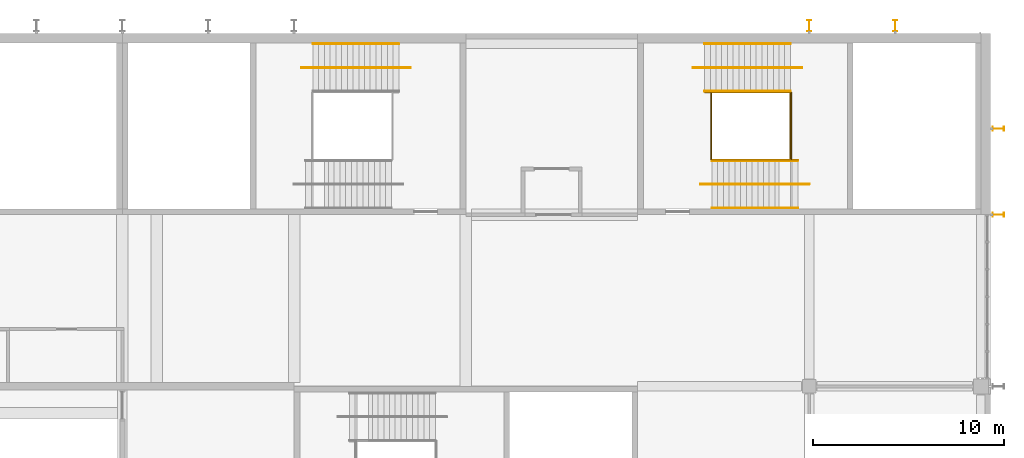
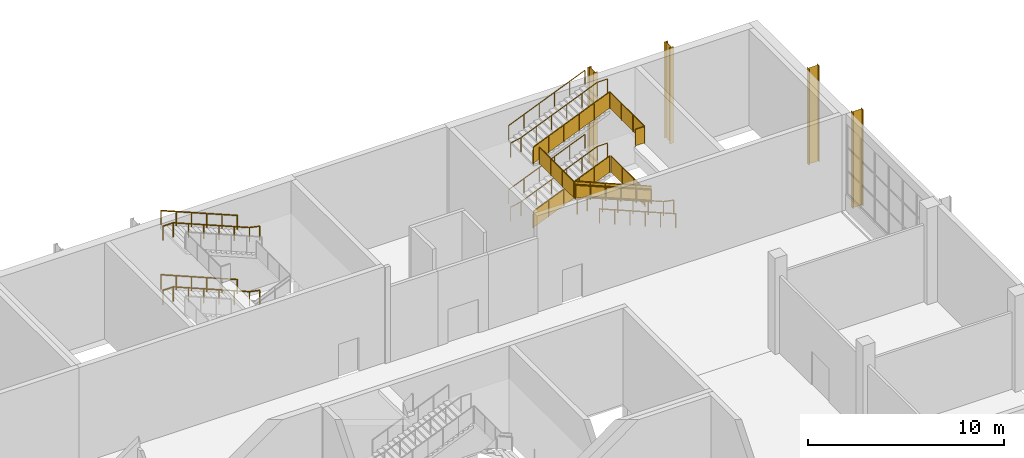
# One storey, part 88 of 89: 19 railings, 4 shading devices.
"""IFC4 building model written with IfcOpenShell, lengths in metres."""

from ifc_helpers import new_model, si_unit, direction, frame, origin, origin_2d, place, context, subcontext, project, spatial, polyline, circle, i_section, outline, extrude, material, material_profile, profile_set, type_object, element, save


model = new_model("IFC4")

# Units and contexts
model_context = context("Model", 3, precision=1e-05, world=origin(), true_north=direction((0.0, 1.0)))
body_context = subcontext(model_context, "Body", "Model", "MODEL_VIEW")
ifc_project = project(units=[si_unit("LENGTHUNIT", "METRE"), si_unit("AREAUNIT", "SQUARE_METRE"), si_unit("VOLUMEUNIT", "CUBIC_METRE"), si_unit("PLANEANGLEUNIT", "RADIAN"), si_unit("MASSUNIT", "GRAM", prefix="KILO")], contexts=[model_context])

# Site, building, storey
site_placement = place(None, origin())
site = spatial("IfcSite", under=ifc_project, at=site_placement, CompositionType="ELEMENT")
building_placement = place(site_placement, origin())
building = spatial("IfcBuilding", under=site, at=building_placement, Name="Silverbay Arena", CompositionType="ELEMENT")
storey_placement = place(building_placement, frame((0.0, 0.0, 22.0)))
storey = spatial("IfcBuildingStorey", under=building, at=storey_placement, Name="L03", CompositionType="ELEMENT", Elevation=22.0)

# Railings
ifc_material_1 = material(Name="Stainless steel", Category="steel")
railing_type_1 = type_object("IfcRailingType", Name="Stair guard 1100", PredefinedType="GUARDRAIL", material=ifc_material_1)
railing_1_placement = place(storey_placement, frame((192.510009765625, 141.425048828125, 0.125)))
element("IfcRailing", 1, at=railing_1_placement, inside=storey, type_object=railing_type_1, Name="Stair ST-N6 L03 to L04 flight 1 guard left", PredefinedType="GUARDRAIL", context=body_context, shape_type="SweptSolid", body=[
    extrude(circle(Radius=0.02392578125, at=origin_2d()), frame((0.0, 0.0, 1.076171875), z_axis=(0.923076923077, 0.0, 0.384615384615), x_axis=(0.0, 1.0, 0.0)), (0.0, 0.0, 1.0), 4.875),
    extrude(outline(polyline([(-0.008056640625, 0.046630859375), (0.907958984375, 0.42822265625), (0.907958984375, 1.431396484375), (-0.008056640625, 1.049560546875), (-0.008056640625, 0.046630859375)])), frame((0.0, 0.0029296875, 0.0), z_axis=(0.0, -1.0, 0.0), x_axis=(1.0, 0.0, 0.0)), (0.0, 0.0, 1.0), 0.006103515625),
    extrude(outline(polyline([(-0.008056640625, 0.421630859375), (0.907958984375, 0.80322265625), (0.907958984375, 1.806396484375), (-0.008056640625, 1.424560546875), (-0.008056640625, 0.421630859375)])), frame((0.89990234375, 0.0029296875, 0.0), z_axis=(0.0, -1.0, 0.0), x_axis=(1.0, 0.0, 0.0)), (0.0, 0.0, 1.0), 0.006103515625),
    extrude(outline(polyline([(-0.008056640625, 0.796630859375), (0.907958984375, 1.17822265625), (0.907958984375, 2.181396484375), (-0.008056640625, 1.799560546875), (-0.008056640625, 0.796630859375)])), frame((1.800048828125, 0.0029296875, 0.0), z_axis=(0.0, -1.0, 0.0), x_axis=(1.0, 0.0, 0.0)), (0.0, 0.0, 1.0), 0.006103515625),
    extrude(outline(polyline([(-0.008056640625, 1.171630859375), (0.907958984375, 1.55322265625), (0.907958984375, 2.556396484375), (-0.008056640625, 2.174560546875), (-0.008056640625, 1.171630859375)])), frame((2.699951171875, 0.0029296875, 0.0), z_axis=(0.0, -1.0, 0.0), x_axis=(1.0, 0.0, 0.0)), (0.0, 0.0, 1.0), 0.006103515625),
    extrude(outline(polyline([(-0.008056640625, 1.546630859375), (0.907958984375, 1.92822265625), (0.907958984375, 2.931396484375), (-0.008056640625, 2.549560546875), (-0.008056640625, 1.546630859375)])), frame((3.60009765625, 0.0029296875, 0.0), z_axis=(0.0, -1.0, 0.0), x_axis=(1.0, 0.0, 0.0)), (0.0, 0.0, 1.0), 0.006103515625),
    extrude(circle(Radius=0.02099609375, at=origin_2d()), origin(), (0.0, 0.0, 1.0), 1.052001953125),
    extrude(circle(Radius=0.02099609375, at=origin_2d()), frame((0.89990234375, 0.0, 0.375)), (0.0, 0.0, 1.0), 1.052001953125),
    extrude(circle(Radius=0.02099609375, at=origin_2d()), frame((1.800048828125, 0.0, 0.75)), (0.0, 0.0, 1.0), 1.052001953125),
    extrude(circle(Radius=0.02099609375, at=origin_2d()), frame((2.699951171875, 0.0, 1.125)), (0.0, 0.0, 1.0), 1.052001953125),
    extrude(circle(Radius=0.02099609375, at=origin_2d()), frame((3.60009765625, 0.0, 1.5)), (0.0, 0.0, 1.0), 1.052001953125),
    extrude(circle(Radius=0.02099609375, at=origin_2d()), frame((4.5, 0.0, 1.875)), (0.0, 0.0, 1.0), 1.052001953125),
])
railing_2_placement = place(storey_placement, frame((197.39990234375, 137.875, 2.125)))
element("IfcRailing", 2, at=railing_2_placement, inside=storey, type_object=railing_type_1, Name="Stair ST-N6 L03 to L04 flight 2 guard right", PredefinedType="GUARDRAIL", context=body_context, shape_type="SweptSolid", body=[
    extrude(circle(Radius=0.02392578125, at=origin_2d()), frame((0.0, 0.0, 1.076171875), z_axis=(-0.923076923077, 0.0, 0.384615384615), x_axis=(0.0, -1.0, 0.0)), (0.0, 0.0, 1.0), 4.875),
    extrude(outline(polyline([(-0.008056640625, 0.046630859375), (0.907958984375, 0.42822265625), (0.907958984375, 1.431396484375), (-0.008056640625, 1.049560546875), (-0.008056640625, 0.046630859375)])), frame((0.0, -0.0029296875, 0.0), z_axis=(0.0, 1.0, 0.0), x_axis=(-1.0, 0.0, 0.0)), (0.0, 0.0, 1.0), 0.006103515625),
    extrude(outline(polyline([(-0.008056640625, 0.421630859375), (0.907958984375, 0.80322265625), (0.907958984375, 1.806396484375), (-0.008056640625, 1.424560546875), (-0.008056640625, 0.421630859375)])), frame((-0.89990234375, -0.0029296875, 0.0), z_axis=(0.0, 1.0, 0.0), x_axis=(-1.0, 0.0, 0.0)), (0.0, 0.0, 1.0), 0.006103515625),
    extrude(outline(polyline([(-0.008056640625, 0.796630859375), (0.907958984375, 1.17822265625), (0.907958984375, 2.181396484375), (-0.008056640625, 1.799560546875), (-0.008056640625, 0.796630859375)])), frame((-1.800048828125, -0.0029296875, 0.0), z_axis=(0.0, 1.0, 0.0), x_axis=(-1.0, 0.0, 0.0)), (0.0, 0.0, 1.0), 0.006103515625),
    extrude(outline(polyline([(-0.008056640625, 1.171630859375), (0.907958984375, 1.55322265625), (0.907958984375, 2.556396484375), (-0.008056640625, 2.174560546875), (-0.008056640625, 1.171630859375)])), frame((-2.699951171875, -0.0029296875, 0.0), z_axis=(0.0, 1.0, 0.0), x_axis=(-1.0, 0.0, 0.0)), (0.0, 0.0, 1.0), 0.006103515625),
    extrude(outline(polyline([(-0.008056640625, 1.546630859375), (0.907958984375, 1.92822265625), (0.907958984375, 2.931396484375), (-0.008056640625, 2.549560546875), (-0.008056640625, 1.546630859375)])), frame((-3.60009765625, -0.0029296875, 0.0), z_axis=(0.0, 1.0, 0.0), x_axis=(-1.0, 0.0, 0.0)), (0.0, 0.0, 1.0), 0.006103515625),
    extrude(circle(Radius=0.02099609375, at=origin_2d()), origin(), (0.0, 0.0, 1.0), 1.052001953125),
    extrude(circle(Radius=0.02099609375, at=origin_2d()), frame((-0.89990234375, 0.0, 0.375)), (0.0, 0.0, 1.0), 1.052001953125),
    extrude(circle(Radius=0.02099609375, at=origin_2d()), frame((-1.800048828125, 0.0, 0.75)), (0.0, 0.0, 1.0), 1.052001953125),
    extrude(circle(Radius=0.02099609375, at=origin_2d()), frame((-2.699951171875, 0.0, 1.125)), (0.0, 0.0, 1.0), 1.052001953125),
    extrude(circle(Radius=0.02099609375, at=origin_2d()), frame((-3.60009765625, 0.0, 1.5)), (0.0, 0.0, 1.0), 1.052001953125),
    extrude(circle(Radius=0.02099609375, at=origin_2d()), frame((-4.5, 0.0, 1.875)), (0.0, 0.0, 1.0), 1.052001953125),
])
railing_3_placement = place(storey_placement, frame((192.510009765625, 141.425048828125, 4.125)))
element("IfcRailing", 3, at=railing_3_placement, inside=storey, type_object=railing_type_1, Name="Stair ST-N6 L03 to L04 flight 3 guard left", PredefinedType="GUARDRAIL", context=body_context, shape_type="SweptSolid", body=[
    extrude(circle(Radius=0.02392578125, at=origin_2d()), frame((0.0, 0.0, 1.076171875), z_axis=(0.923076923077, 0.0, 0.384615384615), x_axis=(0.0, 1.0, 0.0)), (0.0, 0.0, 1.0), 4.875),
    extrude(outline(polyline([(-0.008056640625, 0.046630859375), (0.907958984375, 0.42822265625), (0.907958984375, 1.431396484375), (-0.008056640625, 1.049560546875), (-0.008056640625, 0.046630859375)])), frame((0.0, 0.0029296875, 0.0), z_axis=(0.0, -1.0, 0.0), x_axis=(1.0, 0.0, 0.0)), (0.0, 0.0, 1.0), 0.006103515625),
    extrude(outline(polyline([(-0.008056640625, 0.421630859375), (0.907958984375, 0.80322265625), (0.907958984375, 1.806396484375), (-0.008056640625, 1.424560546875), (-0.008056640625, 0.421630859375)])), frame((0.89990234375, 0.0029296875, 0.0), z_axis=(0.0, -1.0, 0.0), x_axis=(1.0, 0.0, 0.0)), (0.0, 0.0, 1.0), 0.006103515625),
    extrude(outline(polyline([(-0.008056640625, 0.796630859375), (0.907958984375, 1.17822265625), (0.907958984375, 2.181396484375), (-0.008056640625, 1.799560546875), (-0.008056640625, 0.796630859375)])), frame((1.800048828125, 0.0029296875, 0.0), z_axis=(0.0, -1.0, 0.0), x_axis=(1.0, 0.0, 0.0)), (0.0, 0.0, 1.0), 0.006103515625),
    extrude(outline(polyline([(-0.008056640625, 1.171630859375), (0.907958984375, 1.55322265625), (0.907958984375, 2.556396484375), (-0.008056640625, 2.174560546875), (-0.008056640625, 1.171630859375)])), frame((2.699951171875, 0.0029296875, 0.0), z_axis=(0.0, -1.0, 0.0), x_axis=(1.0, 0.0, 0.0)), (0.0, 0.0, 1.0), 0.006103515625),
    extrude(outline(polyline([(-0.008056640625, 1.546630859375), (0.907958984375, 1.92822265625), (0.907958984375, 2.931396484375), (-0.008056640625, 2.549560546875), (-0.008056640625, 1.546630859375)])), frame((3.60009765625, 0.0029296875, 0.0), z_axis=(0.0, -1.0, 0.0), x_axis=(1.0, 0.0, 0.0)), (0.0, 0.0, 1.0), 0.006103515625),
    extrude(circle(Radius=0.02099609375, at=origin_2d()), origin(), (0.0, 0.0, 1.0), 1.052001953125),
    extrude(circle(Radius=0.02099609375, at=origin_2d()), frame((0.89990234375, 0.0, 0.375)), (0.0, 0.0, 1.0), 1.052001953125),
    extrude(circle(Radius=0.02099609375, at=origin_2d()), frame((1.800048828125, 0.0, 0.75)), (0.0, 0.0, 1.0), 1.052001953125),
    extrude(circle(Radius=0.02099609375, at=origin_2d()), frame((2.699951171875, 0.0, 1.125)), (0.0, 0.0, 1.0), 1.052001953125),
    extrude(circle(Radius=0.02099609375, at=origin_2d()), frame((3.60009765625, 0.0, 1.5)), (0.0, 0.0, 1.0), 1.052001953125),
    extrude(circle(Radius=0.02099609375, at=origin_2d()), frame((4.5, 0.0, 1.875)), (0.0, 0.0, 1.0), 1.052001953125),
])
for number, where, name in (
    (4, (197.06005859375, 137.89990234375, 2.0), "Stair ST-N6 L03 to L04 landing 1 guard"),
    (5, (192.85009765625, 137.89990234375, 4.0), "Stair ST-N6 L03 to L04 landing 2 guard"),
):
    element("IfcRailing", number, at=place(storey_placement, frame(where)), inside=storey, type_object=railing_type_1, Name=name, PredefinedType="GUARDRAIL", context=body_context, shape_type="SweptSolid", body=[
        extrude(circle(Radius=0.02392578125, at=origin_2d()), frame((0.0, 0.0, 1.076171875), z_axis=(0.0, 1.0, 0.0), x_axis=(-1.0, 0.0, 0.0)), (0.0, 0.0, 1.0), 3.5),
        extrude(outline(polyline([(-0.008056640625, 0.050048828125), (1.174560546875, 0.050048828125), (1.174560546875, 1.052978515625), (-0.008056640625, 1.052978515625), (-0.008056640625, 0.050048828125)])), frame((-0.0029296875, 0.0, 0.0), z_axis=(1.0, 0.0, 0.0), x_axis=(0.0, 1.0, 0.0)), (0.0, 0.0, 1.0), 0.006103515625),
        extrude(outline(polyline([(-0.008056640625, 0.050048828125), (1.174560546875, 0.050048828125), (1.174560546875, 1.052978515625), (-0.008056640625, 1.052978515625), (-0.008056640625, 0.050048828125)])), frame((-0.0029296875, 1.166748046875, 0.0), z_axis=(1.0, 0.0, 0.0), x_axis=(0.0, 1.0, 0.0)), (0.0, 0.0, 1.0), 0.006103515625),
        extrude(outline(polyline([(-0.008056640625, 0.050048828125), (1.174560546875, 0.050048828125), (1.174560546875, 1.052978515625), (-0.008056640625, 1.052978515625), (-0.008056640625, 0.050048828125)])), frame((-0.0029296875, 2.333251953125, 0.0), z_axis=(1.0, 0.0, 0.0), x_axis=(0.0, 1.0, 0.0)), (0.0, 0.0, 1.0), 0.006103515625),
        extrude(circle(Radius=0.02099609375, at=origin_2d()), origin(), (0.0, 0.0, 1.0), 1.052001953125),
        extrude(circle(Radius=0.02099609375, at=origin_2d()), frame((0.0, 1.166748046875, 0.0)), (0.0, 0.0, 1.0), 1.052001953125),
        extrude(circle(Radius=0.02099609375, at=origin_2d()), frame((0.0, 2.333251953125, 0.0)), (0.0, 0.0, 1.0), 1.052001953125),
        extrude(circle(Radius=0.02099609375, at=origin_2d()), frame((0.0, 3.5, 0.0)), (0.0, 0.0, 1.0), 1.052001953125),
    ])
railing_4_placement = place(storey_placement, frame((196.449951171875, 137.85009765625, 6.0)))
element("IfcRailing", 6, at=railing_4_placement, inside=storey, type_object=railing_type_1, Name="Stair ST-N6 L03 to L04 landing 3 guard", PredefinedType="GUARDRAIL", context=body_context, shape_type="SweptSolid", body=[
    extrude(circle(Radius=0.02392578125, at=origin_2d()), frame((0.0, 0.0, 1.076171875), z_axis=(1.0, 0.0, 0.0), x_axis=(0.0, 1.0, 0.0)), (0.0, 0.0, 1.0), 0.56005859375),
    extrude(outline(polyline([(-0.008056640625, 0.050048828125), (0.568115234375, 0.050048828125), (0.568115234375, 1.052978515625), (-0.008056640625, 1.052978515625), (-0.008056640625, 0.050048828125)])), frame((0.0, 0.0029296875, 0.0), z_axis=(0.0, -1.0, 0.0), x_axis=(1.0, 0.0, 0.0)), (0.0, 0.0, 1.0), 0.006103515625),
    extrude(circle(Radius=0.02392578125, at=origin_2d()), frame((0.56005859375, 0.0, 1.076171875), z_axis=(0.0, 1.0, 0.0), x_axis=(-1.0, 0.0, 0.0)), (0.0, 0.0, 1.0), 3.5498046875),
    extrude(outline(polyline([(-0.008056640625, 0.050048828125), (1.191162109375, 0.050048828125), (1.191162109375, 1.052978515625), (-0.008056640625, 1.052978515625), (-0.008056640625, 0.050048828125)])), frame((0.55712890625, 0.0, 0.0), z_axis=(1.0, 0.0, 0.0), x_axis=(0.0, 1.0, 0.0)), (0.0, 0.0, 1.0), 0.006103515625),
    extrude(outline(polyline([(-0.008056640625, 0.050048828125), (1.191162109375, 0.050048828125), (1.191162109375, 1.052978515625), (-0.008056640625, 1.052978515625), (-0.008056640625, 0.050048828125)])), frame((0.55712890625, 1.183349609375, 0.0), z_axis=(1.0, 0.0, 0.0), x_axis=(0.0, 1.0, 0.0)), (0.0, 0.0, 1.0), 0.006103515625),
    extrude(outline(polyline([(-0.008056640625, 0.050048828125), (1.191162109375, 0.050048828125), (1.191162109375, 1.052978515625), (-0.008056640625, 1.052978515625), (-0.008056640625, 0.050048828125)])), frame((0.55712890625, 2.366455078125, 0.0), z_axis=(1.0, 0.0, 0.0), x_axis=(0.0, 1.0, 0.0)), (0.0, 0.0, 1.0), 0.006103515625),
    extrude(circle(Radius=0.02099609375, at=origin_2d()), origin(), (0.0, 0.0, 1.0), 1.052001953125),
    extrude(circle(Radius=0.02099609375, at=origin_2d()), frame((0.56005859375, 0.0, 0.0)), (0.0, 0.0, 1.0), 1.052001953125),
    extrude(circle(Radius=0.02099609375, at=origin_2d()), frame((0.56005859375, 1.183349609375, 0.0)), (0.0, 0.0, 1.0), 1.052001953125),
    extrude(circle(Radius=0.02099609375, at=origin_2d()), frame((0.56005859375, 2.366455078125, 0.0)), (0.0, 0.0, 1.0), 1.052001953125),
    extrude(circle(Radius=0.02099609375, at=origin_2d()), frame((0.56005859375, 3.5498046875, 0.0)), (0.0, 0.0, 1.0), 1.052001953125),
])
ifc_material_2 = material(Name="Stainless steel", Category="steel")
railing_type_2 = type_object("IfcRailingType", Name="Stair handrail 900", PredefinedType="HANDRAIL", material=ifc_material_2)
railing_5_placement = place(storey_placement, frame((176.489990234375, 143.949951171875, 0.125)))
element("IfcRailing", 7, at=railing_5_placement, inside=storey, type_object=railing_type_2, Name="Stair ST-N4 L03 to L04 flight 1 handrail right", PredefinedType="HANDRAIL", context=body_context, shape_type="SweptSolid", body=[
    extrude(circle(Radius=0.02392578125, at=origin_2d()), frame((0.0, 0.0, 0.8759765625), z_axis=(-0.923076923077, 0.0, 0.384615384615), x_axis=(0.0, -1.0, 0.0)), (0.0, 0.0, 1.0), 4.875),
    extrude(circle(Radius=0.02099609375, at=origin_2d()), origin(), (0.0, 0.0, 1.0), 0.851806640625),
    extrude(circle(Radius=0.02099609375, at=origin_2d()), frame((-0.89990234375, 0.0, 0.375)), (0.0, 0.0, 1.0), 0.851806640625),
    extrude(circle(Radius=0.02099609375, at=origin_2d()), frame((-1.800048828125, 0.0, 0.75)), (0.0, 0.0, 1.0), 0.851806640625),
    extrude(circle(Radius=0.02099609375, at=origin_2d()), frame((-2.699951171875, 0.0, 1.125)), (0.0, 0.0, 1.0), 0.851806640625),
    extrude(circle(Radius=0.02099609375, at=origin_2d()), frame((-3.60009765625, 0.0, 1.5)), (0.0, 0.0, 1.0), 0.851806640625),
    extrude(circle(Radius=0.02099609375, at=origin_2d()), frame((-4.5, 0.0, 1.875)), (0.0, 0.0, 1.0), 0.851806640625),
])
railing_6_placement = place(storey_placement, frame((177.090087890625, 142.699951171875, 0.0)))
element("IfcRailing", 8, at=railing_6_placement, inside=storey, type_object=railing_type_2, Name="Stair ST-N4 L03 to L04 flight 1 central handrail", PredefinedType="HANDRAIL", context=body_context, shape_type="SweptSolid", body=[
    extrude(circle(Radius=0.02392578125, at=origin_2d()), frame((0.0, 0.0, 0.8759765625), z_axis=(-0.978987046276, 0.0, 0.203922444139), x_axis=(0.0, -1.0, 0.0)), (0.0, 0.0, 1.0), 0.613037109375),
    extrude(circle(Radius=0.02392578125, at=origin_2d()), frame((-0.60009765625, 0.0, 1.0009765625), z_axis=(-0.923076923077, 0.0, 0.384615384615), x_axis=(0.0, -1.0, 0.0)), (0.0, 0.0, 1.0), 4.875),
    extrude(circle(Radius=0.02392578125, at=origin_2d()), frame((-5.10009765625, 0.0, 2.8759765625), z_axis=(-1.0, 0.0, 0.0), x_axis=(0.0, -1.0, 0.0)), (0.0, 0.0, 1.0), 0.60009765625),
    extrude(circle(Radius=0.02099609375, at=origin_2d()), origin(), (0.0, 0.0, 1.0), 0.851806640625),
    extrude(circle(Radius=0.02099609375, at=origin_2d()), frame((-0.60009765625, 0.0, 0.125)), (0.0, 0.0, 1.0), 0.851806640625),
    extrude(circle(Radius=0.02099609375, at=origin_2d()), frame((-1.5, 0.0, 0.5)), (0.0, 0.0, 1.0), 0.851806640625),
    extrude(circle(Radius=0.02099609375, at=origin_2d()), frame((-2.400146484375, 0.0, 0.875)), (0.0, 0.0, 1.0), 0.851806640625),
    extrude(circle(Radius=0.02099609375, at=origin_2d()), frame((-3.300048828125, 0.0, 1.25)), (0.0, 0.0, 1.0), 0.851806640625),
    extrude(circle(Radius=0.02099609375, at=origin_2d()), frame((-4.2001953125, 0.0, 1.625)), (0.0, 0.0, 1.0), 0.851806640625),
    extrude(circle(Radius=0.02099609375, at=origin_2d()), frame((-5.10009765625, 0.0, 2.0)), (0.0, 0.0, 1.0), 0.851806640625),
    extrude(circle(Radius=0.02099609375, at=origin_2d()), frame((-5.7001953125, 0.0, 2.0)), (0.0, 0.0, 1.0), 0.851806640625),
])
railing_7_placement = place(storey_placement, frame((176.489990234375, 143.949951171875, 4.125)))
element("IfcRailing", 9, at=railing_7_placement, inside=storey, type_object=railing_type_2, Name="Stair ST-N4 L03 to L04 flight 3 handrail right", PredefinedType="HANDRAIL", context=body_context, shape_type="SweptSolid", body=[
    extrude(circle(Radius=0.02392578125, at=origin_2d()), frame((0.0, 0.0, 0.8759765625), z_axis=(-0.923076923077, 0.0, 0.384615384615), x_axis=(0.0, -1.0, 0.0)), (0.0, 0.0, 1.0), 4.875),
    extrude(circle(Radius=0.02099609375, at=origin_2d()), origin(), (0.0, 0.0, 1.0), 0.851806640625),
    extrude(circle(Radius=0.02099609375, at=origin_2d()), frame((-0.89990234375, 0.0, 0.375)), (0.0, 0.0, 1.0), 0.851806640625),
    extrude(circle(Radius=0.02099609375, at=origin_2d()), frame((-1.800048828125, 0.0, 0.75)), (0.0, 0.0, 1.0), 0.851806640625),
    extrude(circle(Radius=0.02099609375, at=origin_2d()), frame((-2.699951171875, 0.0, 1.125)), (0.0, 0.0, 1.0), 0.851806640625),
    extrude(circle(Radius=0.02099609375, at=origin_2d()), frame((-3.60009765625, 0.0, 1.5)), (0.0, 0.0, 1.0), 0.851806640625),
    extrude(circle(Radius=0.02099609375, at=origin_2d()), frame((-4.5, 0.0, 1.875)), (0.0, 0.0, 1.0), 0.851806640625),
])
railing_8_placement = place(storey_placement, frame((177.090087890625, 142.699951171875, 4.0)))
element("IfcRailing", 10, at=railing_8_placement, inside=storey, type_object=railing_type_2, Name="Stair ST-N4 L03 to L04 flight 3 central handrail", PredefinedType="HANDRAIL", context=body_context, shape_type="SweptSolid", body=[
    extrude(circle(Radius=0.02392578125, at=origin_2d()), frame((0.0, 0.0, 0.8759765625), z_axis=(-0.978987046276, 0.0, 0.203922444139), x_axis=(0.0, -1.0, 0.0)), (0.0, 0.0, 1.0), 0.613037109375),
    extrude(circle(Radius=0.02392578125, at=origin_2d()), frame((-0.60009765625, 0.0, 1.0009765625), z_axis=(-0.923076923077, 0.0, 0.384615384615), x_axis=(0.0, -1.0, 0.0)), (0.0, 0.0, 1.0), 4.875),
    extrude(circle(Radius=0.02392578125, at=origin_2d()), frame((-5.10009765625, 0.0, 2.8759765625), z_axis=(-1.0, 0.0, 0.0), x_axis=(0.0, -1.0, 0.0)), (0.0, 0.0, 1.0), 0.60009765625),
    extrude(circle(Radius=0.02099609375, at=origin_2d()), origin(), (0.0, 0.0, 1.0), 0.851806640625),
    extrude(circle(Radius=0.02099609375, at=origin_2d()), frame((-0.60009765625, 0.0, 0.125)), (0.0, 0.0, 1.0), 0.851806640625),
    extrude(circle(Radius=0.02099609375, at=origin_2d()), frame((-1.5, 0.0, 0.5)), (0.0, 0.0, 1.0), 0.851806640625),
    extrude(circle(Radius=0.02099609375, at=origin_2d()), frame((-2.400146484375, 0.0, 0.875)), (0.0, 0.0, 1.0), 0.851806640625),
    extrude(circle(Radius=0.02099609375, at=origin_2d()), frame((-3.300048828125, 0.0, 1.25)), (0.0, 0.0, 1.0), 0.851806640625),
    extrude(circle(Radius=0.02099609375, at=origin_2d()), frame((-4.2001953125, 0.0, 1.625)), (0.0, 0.0, 1.0), 0.851806640625),
    extrude(circle(Radius=0.02099609375, at=origin_2d()), frame((-5.10009765625, 0.0, 2.0)), (0.0, 0.0, 1.0), 0.851806640625),
    extrude(circle(Radius=0.02099609375, at=origin_2d()), frame((-5.7001953125, 0.0, 2.0)), (0.0, 0.0, 1.0), 0.851806640625),
])
for number, where, name in (
    (11, (192.510009765625, 141.464111328125, 0.125), "Stair ST-N6 L03 to L04 flight 1 handrail left"),
    (12, (192.510009765625, 143.949951171875, 0.125), "Stair ST-N6 L03 to L04 flight 1 handrail right"),
):
    element("IfcRailing", number, at=place(storey_placement, frame(where)), inside=storey, type_object=railing_type_2, Name=name, PredefinedType="HANDRAIL", context=body_context, shape_type="SweptSolid", body=[
        extrude(circle(Radius=0.02392578125, at=origin_2d()), frame((0.0, 0.0, 0.8759765625), z_axis=(0.923076923077, 0.0, 0.384615384615), x_axis=(0.0, 1.0, 0.0)), (0.0, 0.0, 1.0), 4.875),
        extrude(circle(Radius=0.02099609375, at=origin_2d()), origin(), (0.0, 0.0, 1.0), 0.851806640625),
        extrude(circle(Radius=0.02099609375, at=origin_2d()), frame((0.89990234375, 0.0, 0.375)), (0.0, 0.0, 1.0), 0.851806640625),
        extrude(circle(Radius=0.02099609375, at=origin_2d()), frame((1.800048828125, 0.0, 0.75)), (0.0, 0.0, 1.0), 0.851806640625),
        extrude(circle(Radius=0.02099609375, at=origin_2d()), frame((2.699951171875, 0.0, 1.125)), (0.0, 0.0, 1.0), 0.851806640625),
        extrude(circle(Radius=0.02099609375, at=origin_2d()), frame((3.60009765625, 0.0, 1.5)), (0.0, 0.0, 1.0), 0.851806640625),
        extrude(circle(Radius=0.02099609375, at=origin_2d()), frame((4.5, 0.0, 1.875)), (0.0, 0.0, 1.0), 0.851806640625),
    ])
railing_9_placement = place(storey_placement, frame((191.909912109375, 142.699951171875, 0.0)))
element("IfcRailing", 13, at=railing_9_placement, inside=storey, type_object=railing_type_2, Name="Stair ST-N6 L03 to L04 flight 1 central handrail", PredefinedType="HANDRAIL", context=body_context, shape_type="SweptSolid", body=[
    extrude(circle(Radius=0.02392578125, at=origin_2d()), frame((0.0, 0.0, 0.8759765625), z_axis=(0.978987046276, 0.0, 0.203922444139), x_axis=(0.0, 1.0, 0.0)), (0.0, 0.0, 1.0), 0.613037109375),
    extrude(circle(Radius=0.02392578125, at=origin_2d()), frame((0.60009765625, 0.0, 1.0009765625), z_axis=(0.923076923077, 0.0, 0.384615384615), x_axis=(0.0, 1.0, 0.0)), (0.0, 0.0, 1.0), 4.875),
    extrude(circle(Radius=0.02392578125, at=origin_2d()), frame((5.10009765625, 0.0, 2.8759765625), z_axis=(1.0, 0.0, 0.0), x_axis=(0.0, 1.0, 0.0)), (0.0, 0.0, 1.0), 0.60009765625),
    extrude(circle(Radius=0.02099609375, at=origin_2d()), origin(), (0.0, 0.0, 1.0), 0.851806640625),
    extrude(circle(Radius=0.02099609375, at=origin_2d()), frame((0.60009765625, 0.0, 0.125)), (0.0, 0.0, 1.0), 0.851806640625),
    extrude(circle(Radius=0.02099609375, at=origin_2d()), frame((1.5, 0.0, 0.5)), (0.0, 0.0, 1.0), 0.851806640625),
    extrude(circle(Radius=0.02099609375, at=origin_2d()), frame((2.400146484375, 0.0, 0.875)), (0.0, 0.0, 1.0), 0.851806640625),
    extrude(circle(Radius=0.02099609375, at=origin_2d()), frame((3.300048828125, 0.0, 1.25)), (0.0, 0.0, 1.0), 0.851806640625),
    extrude(circle(Radius=0.02099609375, at=origin_2d()), frame((4.2001953125, 0.0, 1.625)), (0.0, 0.0, 1.0), 0.851806640625),
    extrude(circle(Radius=0.02099609375, at=origin_2d()), frame((5.10009765625, 0.0, 2.0)), (0.0, 0.0, 1.0), 0.851806640625),
    extrude(circle(Radius=0.02099609375, at=origin_2d()), frame((5.7001953125, 0.0, 2.0)), (0.0, 0.0, 1.0), 0.851806640625),
])
for number, where, name in (
    (14, (197.39990234375, 135.35009765625, 2.125), "Stair ST-N6 L03 to L04 flight 2 handrail left"),
    (15, (197.39990234375, 137.8359375, 2.125), "Stair ST-N6 L03 to L04 flight 2 handrail right"),
):
    element("IfcRailing", number, at=place(storey_placement, frame(where)), inside=storey, type_object=railing_type_2, Name=name, PredefinedType="HANDRAIL", context=body_context, shape_type="SweptSolid", body=[
        extrude(circle(Radius=0.02392578125, at=origin_2d()), frame((0.0, 0.0, 0.8759765625), z_axis=(-0.923076923077, 0.0, 0.384615384615), x_axis=(0.0, -1.0, 0.0)), (0.0, 0.0, 1.0), 4.875),
        extrude(circle(Radius=0.02099609375, at=origin_2d()), origin(), (0.0, 0.0, 1.0), 0.851806640625),
        extrude(circle(Radius=0.02099609375, at=origin_2d()), frame((-0.89990234375, 0.0, 0.375)), (0.0, 0.0, 1.0), 0.851806640625),
        extrude(circle(Radius=0.02099609375, at=origin_2d()), frame((-1.800048828125, 0.0, 0.75)), (0.0, 0.0, 1.0), 0.851806640625),
        extrude(circle(Radius=0.02099609375, at=origin_2d()), frame((-2.699951171875, 0.0, 1.125)), (0.0, 0.0, 1.0), 0.851806640625),
        extrude(circle(Radius=0.02099609375, at=origin_2d()), frame((-3.60009765625, 0.0, 1.5)), (0.0, 0.0, 1.0), 0.851806640625),
        extrude(circle(Radius=0.02099609375, at=origin_2d()), frame((-4.5, 0.0, 1.875)), (0.0, 0.0, 1.0), 0.851806640625),
    ])
railing_10_placement = place(storey_placement, frame((198.0, 136.60009765625, 2.0)))
element("IfcRailing", 16, at=railing_10_placement, inside=storey, type_object=railing_type_2, Name="Stair ST-N6 L03 to L04 flight 2 central handrail", PredefinedType="HANDRAIL", context=body_context, shape_type="SweptSolid", body=[
    extrude(circle(Radius=0.02392578125, at=origin_2d()), frame((0.0, 0.0, 0.8759765625), z_axis=(-0.978987046276, 0.0, 0.203922444139), x_axis=(0.0, -1.0, 0.0)), (0.0, 0.0, 1.0), 0.613037109375),
    extrude(circle(Radius=0.02392578125, at=origin_2d()), frame((-0.60009765625, 0.0, 1.0009765625), z_axis=(-0.923076923077, 0.0, 0.384615384615), x_axis=(0.0, -1.0, 0.0)), (0.0, 0.0, 1.0), 4.875),
    extrude(circle(Radius=0.02392578125, at=origin_2d()), frame((-5.10009765625, 0.0, 2.8759765625), z_axis=(-1.0, 0.0, 0.0), x_axis=(0.0, -1.0, 0.0)), (0.0, 0.0, 1.0), 0.599853515625),
    extrude(circle(Radius=0.02099609375, at=origin_2d()), origin(), (0.0, 0.0, 1.0), 0.851806640625),
    extrude(circle(Radius=0.02099609375, at=origin_2d()), frame((-0.60009765625, 0.0, 0.125)), (0.0, 0.0, 1.0), 0.851806640625),
    extrude(circle(Radius=0.02099609375, at=origin_2d()), frame((-1.5, 0.0, 0.5)), (0.0, 0.0, 1.0), 0.851806640625),
    extrude(circle(Radius=0.02099609375, at=origin_2d()), frame((-2.400146484375, 0.0, 0.875)), (0.0, 0.0, 1.0), 0.851806640625),
    extrude(circle(Radius=0.02099609375, at=origin_2d()), frame((-3.300048828125, 0.0, 1.25)), (0.0, 0.0, 1.0), 0.851806640625),
    extrude(circle(Radius=0.02099609375, at=origin_2d()), frame((-4.2001953125, 0.0, 1.625)), (0.0, 0.0, 1.0), 0.851806640625),
    extrude(circle(Radius=0.02099609375, at=origin_2d()), frame((-5.10009765625, 0.0, 2.0)), (0.0, 0.0, 1.0), 0.851806640625),
    extrude(circle(Radius=0.02099609375, at=origin_2d()), frame((-5.699951171875, 0.0, 2.0)), (0.0, 0.0, 1.0), 0.851806640625),
])
for number, where, name in (
    (17, (192.510009765625, 141.464111328125, 4.125), "Stair ST-N6 L03 to L04 flight 3 handrail left"),
    (18, (192.510009765625, 143.949951171875, 4.125), "Stair ST-N6 L03 to L04 flight 3 handrail right"),
):
    element("IfcRailing", number, at=place(storey_placement, frame(where)), inside=storey, type_object=railing_type_2, Name=name, PredefinedType="HANDRAIL", context=body_context, shape_type="SweptSolid", body=[
        extrude(circle(Radius=0.02392578125, at=origin_2d()), frame((0.0, 0.0, 0.8759765625), z_axis=(0.923076923077, 0.0, 0.384615384615), x_axis=(0.0, 1.0, 0.0)), (0.0, 0.0, 1.0), 4.875),
        extrude(circle(Radius=0.02099609375, at=origin_2d()), origin(), (0.0, 0.0, 1.0), 0.851806640625),
        extrude(circle(Radius=0.02099609375, at=origin_2d()), frame((0.89990234375, 0.0, 0.375)), (0.0, 0.0, 1.0), 0.851806640625),
        extrude(circle(Radius=0.02099609375, at=origin_2d()), frame((1.800048828125, 0.0, 0.75)), (0.0, 0.0, 1.0), 0.851806640625),
        extrude(circle(Radius=0.02099609375, at=origin_2d()), frame((2.699951171875, 0.0, 1.125)), (0.0, 0.0, 1.0), 0.851806640625),
        extrude(circle(Radius=0.02099609375, at=origin_2d()), frame((3.60009765625, 0.0, 1.5)), (0.0, 0.0, 1.0), 0.851806640625),
        extrude(circle(Radius=0.02099609375, at=origin_2d()), frame((4.5, 0.0, 1.875)), (0.0, 0.0, 1.0), 0.851806640625),
    ])
railing_11_placement = place(storey_placement, frame((191.909912109375, 142.699951171875, 4.0)))
element("IfcRailing", 19, at=railing_11_placement, inside=storey, type_object=railing_type_2, Name="Stair ST-N6 L03 to L04 flight 3 central handrail", PredefinedType="HANDRAIL", context=body_context, shape_type="SweptSolid", body=[
    extrude(circle(Radius=0.02392578125, at=origin_2d()), frame((0.0, 0.0, 0.8759765625), z_axis=(0.978987046276, 0.0, 0.203922444139), x_axis=(0.0, 1.0, 0.0)), (0.0, 0.0, 1.0), 0.613037109375),
    extrude(circle(Radius=0.02392578125, at=origin_2d()), frame((0.60009765625, 0.0, 1.0009765625), z_axis=(0.923076923077, 0.0, 0.384615384615), x_axis=(0.0, 1.0, 0.0)), (0.0, 0.0, 1.0), 4.875),
    extrude(circle(Radius=0.02392578125, at=origin_2d()), frame((5.10009765625, 0.0, 2.8759765625), z_axis=(1.0, 0.0, 0.0), x_axis=(0.0, 1.0, 0.0)), (0.0, 0.0, 1.0), 0.60009765625),
    extrude(circle(Radius=0.02099609375, at=origin_2d()), origin(), (0.0, 0.0, 1.0), 0.851806640625),
    extrude(circle(Radius=0.02099609375, at=origin_2d()), frame((0.60009765625, 0.0, 0.125)), (0.0, 0.0, 1.0), 0.851806640625),
    extrude(circle(Radius=0.02099609375, at=origin_2d()), frame((1.5, 0.0, 0.5)), (0.0, 0.0, 1.0), 0.851806640625),
    extrude(circle(Radius=0.02099609375, at=origin_2d()), frame((2.400146484375, 0.0, 0.875)), (0.0, 0.0, 1.0), 0.851806640625),
    extrude(circle(Radius=0.02099609375, at=origin_2d()), frame((3.300048828125, 0.0, 1.25)), (0.0, 0.0, 1.0), 0.851806640625),
    extrude(circle(Radius=0.02099609375, at=origin_2d()), frame((4.2001953125, 0.0, 1.625)), (0.0, 0.0, 1.0), 0.851806640625),
    extrude(circle(Radius=0.02099609375, at=origin_2d()), frame((5.10009765625, 0.0, 2.0)), (0.0, 0.0, 1.0), 0.851806640625),
    extrude(circle(Radius=0.02099609375, at=origin_2d()), frame((5.7001953125, 0.0, 2.0)), (0.0, 0.0, 1.0), 0.851806640625),
])

# Shading devices
ifc_material_3 = material(Name="Steel S355", Category="steel")
ifc_material_profile = material_profile(ifc_material_3, i_section(OverallWidth=0.2275390625, OverallDepth=0.6025390625, WebThickness=0.010498046875, FlangeThickness=0.014892578125, at=origin_2d()), Name="UB 610x229x101")
ifc_profile_set = profile_set([ifc_material_profile], Name="Steel S355")
shading_device_type = type_object("IfcShadingDeviceType", Name="Steel fin UB 610x229x101", PredefinedType="USERDEFINED", material=ifc_profile_set)
for number, where, z_axis, x_axis, name in (
    (20, (207.9013671875, 135.0, 0.0), (0.0, 0.0, 1.0), (0.0, 1.0, 0.0), "Steel fin E L03 26"),
    (21, (207.9013671875, 139.5, 0.0), (0.0, 0.0, 1.0), (0.0, 1.0, 0.0), "Steel fin E L03 27"),
    (22, (198.0, 144.9013671875, 0.0), (0.0, 0.0, 1.0), (1.0, 0.0, 0.0), "Steel fin N L03 32"),
    (23, (202.5, 144.9013671875, 0.0), (0.0, 0.0, 1.0), (1.0, 0.0, 0.0), "Steel fin N L03 33"),
):
    element("IfcShadingDevice", number, at=place(storey_placement, frame(where, z_axis=z_axis, x_axis=x_axis)), inside=storey, type_object=shading_device_type, Name=name, ObjectType="FIN", PredefinedType="USERDEFINED", context=body_context, shape_type="SweptSolid", body=[
        extrude(i_section(OverallWidth=0.2275390625, OverallDepth=0.6025390625, WebThickness=0.010498046875, FlangeThickness=0.014892578125, at=origin_2d()), origin(), (0.0, 0.0, 1.0), 6.0),
    ])

save(model, "model.ifc")
